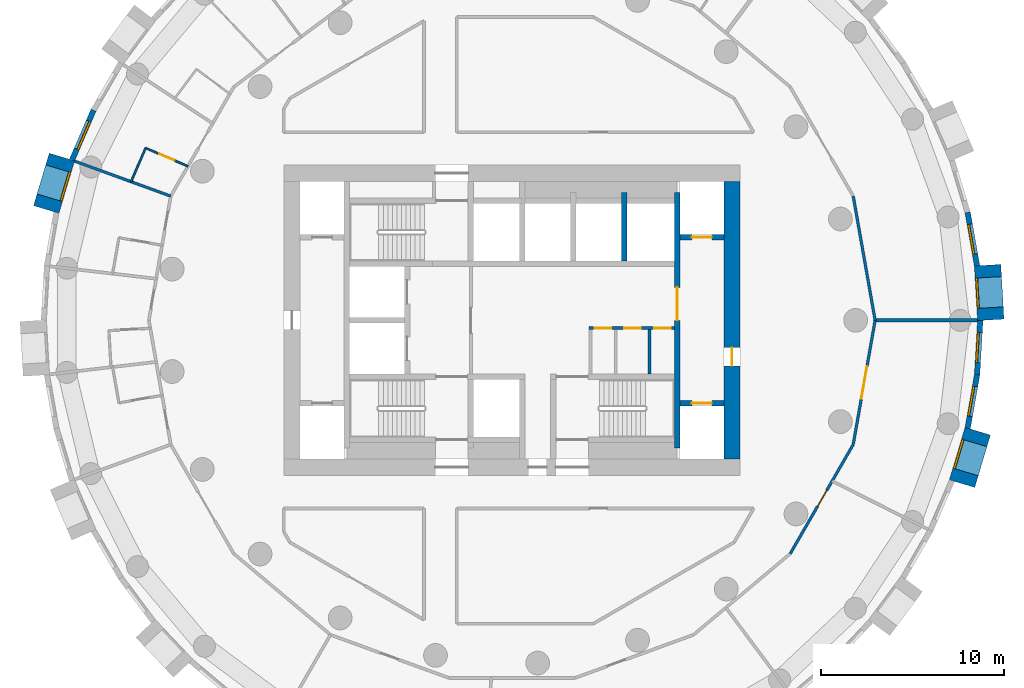
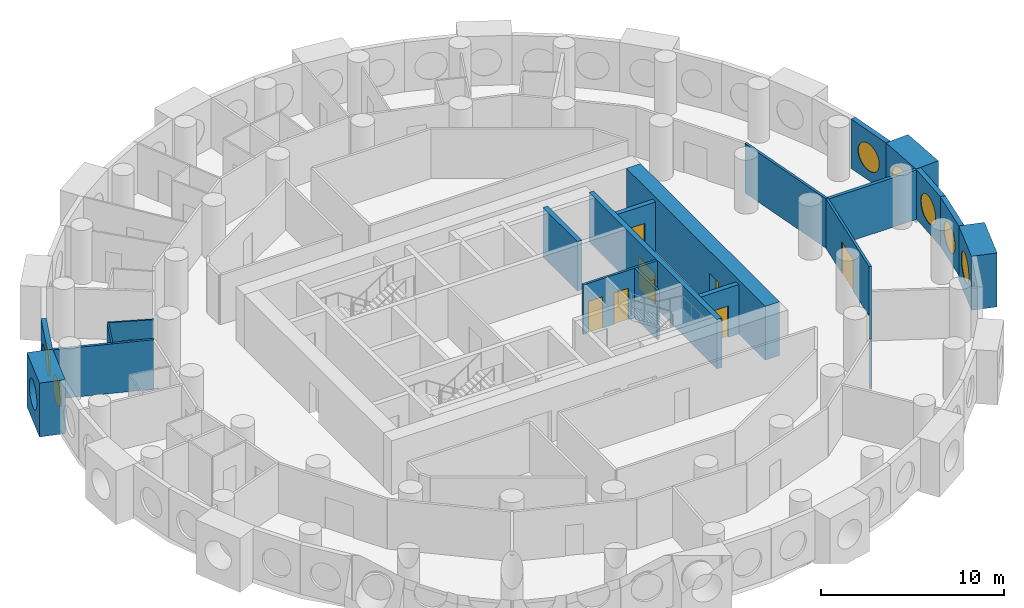
# One storey, part 5 of 10: 21 walls, 10 doors, 7 windows, 17 openings.
"""IFC4 building model written with IfcOpenShell, lengths in metres."""

from ifc_helpers import new_model, si_unit, direction, frame, frame_2d, origin, origin_2d, place, context, subcontext, project, spatial, rectangle, circle, extrude, material, layer, layer_set, type_object, element, fill, save


model = new_model("IFC4")

# Units and contexts
model_context = context("Model", 3, precision=1e-05, world=origin(), true_north=direction((0.0, 1.0)))
body_context = subcontext(model_context, "Body", "Model", "MODEL_VIEW")
ifc_project = project(units=[si_unit("LENGTHUNIT", "METRE"), si_unit("AREAUNIT", "SQUARE_METRE"), si_unit("VOLUMEUNIT", "CUBIC_METRE"), si_unit("PLANEANGLEUNIT", "RADIAN"), si_unit("MASSUNIT", "GRAM", prefix="KILO")], contexts=[model_context])

# Site, building, storey
site_placement = place(None, origin())
site = spatial("IfcSite", under=ifc_project, at=site_placement, CompositionType="ELEMENT")
building_placement = place(site_placement, origin())
building = spatial("IfcBuilding", under=site, at=building_placement, Name="Tracery Tower", CompositionType="ELEMENT")
storey_placement = place(building_placement, frame((0.0, 0.0, 144.0)))
storey = spatial("IfcBuildingStorey", under=building, at=storey_placement, Name="L36", CompositionType="ELEMENT", Elevation=144.0)

# Wall, openings, doors
ifc_material_1 = material(Name="Plasterboard on steel studs", Category="steel")
ifc_layer_1 = layer(ifc_material_1, 0.14990234375)
ifc_layer_set_1 = layer_set([ifc_layer_1], Name="Core room partition 150")
wall_type_1 = type_object("IfcWallType", Name="Core room partition 150", PredefinedType="SOLIDWALL", material=ifc_layer_set_1)
wall_1_placement = place(storey_placement, frame((4.22509765625, -0.425048828125, 0.0), z_axis=(0.0, 0.0, 1.0), x_axis=(1.0, 0.0, 0.0)))
wall_1 = element("IfcWall", 1, at=wall_1_placement, inside=storey, type_object=wall_type_1, Name="L36 slot N", PredefinedType="SOLIDWALL", context=body_context, shape_type="SweptSolid", body=[
    extrude(rectangle(XDim=4.6748046875, YDim=0.14990234375, at=frame_2d((2.33740234375, 0.0))), origin(), (0.0, 0.0, 1.0), 3.300048828125),
])
opening_1_placement = place(wall_1_placement, frame((0.3125, 0.0, 0.0)))
opening_1 = element("IfcOpeningElement", 2, at=opening_1_placement, cuts=wall_1, Name="Opening KD32", PredefinedType="OPENING", context=body_context, shape_type="SweptSolid", body=[
    extrude(rectangle(XDim=0.89990234375, YDim=2.10009765625, at=frame_2d((0.449951171875, 1.050048828125))), frame((0.0, 0.074951171875, 0.0), z_axis=(0.0, -1.0, 0.0), x_axis=(1.0, 0.0, 0.0)), (0.0, 0.0, 1.0), 0.14990234375),
])
opening_2_placement = place(wall_1_placement, frame((1.925048828125, 0.0, 0.0)))
opening_2 = element("IfcOpeningElement", 3, at=opening_2_placement, cuts=wall_1, Name="Opening KD21", PredefinedType="OPENING", context=body_context, shape_type="SweptSolid", body=[
    extrude(rectangle(XDim=0.89990234375, YDim=2.10009765625, at=frame_2d((0.449951171875, 1.050048828125))), frame((0.0, 0.074951171875, 0.0), z_axis=(0.0, -1.0, 0.0), x_axis=(1.0, 0.0, 0.0)), (0.0, 0.0, 1.0), 0.14990234375),
])
opening_3_placement = place(wall_1_placement, frame((3.574951171875, 0.0, 0.0)))
opening_3 = element("IfcOpeningElement", 4, at=opening_3_placement, cuts=wall_1, Name="Opening KD27", PredefinedType="OPENING", context=body_context, shape_type="SweptSolid", body=[
    extrude(rectangle(XDim=0.89990234375, YDim=2.10009765625, at=frame_2d((0.449951171875, 1.050048828125))), frame((0.0, 0.074951171875, 0.0), z_axis=(0.0, -1.0, 0.0), x_axis=(1.0, 0.0, 0.0)), (0.0, 0.0, 1.0), 0.14990234375),
])
ifc_material_2 = material(Name="Timber door leaf", Category="wood")
door_type_1 = type_object("IfcDoorType", Name="Core WC door 900", OperationType="NOTDEFINED", PredefinedType="DOOR", material=ifc_material_2)
door_1_placement = place(opening_2_placement, origin())
door_1 = element("IfcDoor", 5, at=door_1_placement, inside=storey, type_object=door_type_1, Name="Core door", OperationType="SINGLE_SWING_LEFT", OverallHeight=2.10009765625, OverallWidth=0.89990234375, PredefinedType="DOOR", context=body_context, shape_type="SweptSolid", body=[
    extrude(rectangle(XDim=0.89990234375, YDim=2.10009765625, at=frame_2d((0.449951171875, 1.050048828125))), frame((0.0, 0.02490234375, 0.0), z_axis=(0.0, -1.0, 0.0), x_axis=(1.0, 0.0, 0.0)), (0.0, 0.0, 1.0), 0.050048828125),
])
fill(opening_2, door_1)
ifc_material_3 = material(Name="Steel fire door", Category="steel")
door_type_2 = type_object("IfcDoorType", Name="Core riser door 900", OperationType="NOTDEFINED", PredefinedType="DOOR", material=ifc_material_3)
door_2_placement = place(opening_1_placement, origin())
door_2 = element("IfcDoor", 6, at=door_2_placement, inside=storey, type_object=door_type_2, Name="Core door", OperationType="SINGLE_SWING_RIGHT", OverallHeight=2.10009765625, OverallWidth=0.89990234375, PredefinedType="DOOR", context=body_context, shape_type="SweptSolid", body=[
    extrude(rectangle(XDim=0.89990234375, YDim=2.10009765625, at=frame_2d((0.449951171875, 1.050048828125))), frame((0.0, 0.02490234375, 0.0), z_axis=(0.0, -1.0, 0.0), x_axis=(1.0, 0.0, 0.0)), (0.0, 0.0, 1.0), 0.050048828125),
])
fill(opening_1, door_2)
ifc_material_4 = material(Name="Timber door leaf", Category="wood")
door_type_3 = type_object("IfcDoorType", Name="Core store door 900", OperationType="NOTDEFINED", PredefinedType="DOOR", material=ifc_material_4)
door_3_placement = place(opening_3_placement, origin())
door_3 = element("IfcDoor", 7, at=door_3_placement, inside=storey, type_object=door_type_3, Name="Core door", OperationType="SINGLE_SWING_RIGHT", OverallHeight=2.10009765625, OverallWidth=0.89990234375, PredefinedType="DOOR", context=body_context, shape_type="SweptSolid", body=[
    extrude(rectangle(XDim=0.89990234375, YDim=2.10009765625, at=frame_2d((0.449951171875, 1.050048828125))), frame((0.0, 0.02490234375, 0.0), z_axis=(0.0, -1.0, 0.0), x_axis=(1.0, 0.0, 0.0)), (0.0, 0.0, 1.0), 0.050048828125),
])
fill(opening_3, door_3)

# Wall
wall_2_placement = place(storey_placement, frame((7.52490234375, -2.949951171875, 0.0), z_axis=(0.0, 0.0, 1.0), x_axis=(0.0, 1.0, 0.0)))
element("IfcWall", 8, at=wall_2_placement, inside=storey, type_object=wall_type_1, Name="L36 slot sep 2", PredefinedType="SOLIDWALL", context=body_context, shape_type="SweptSolid", body=[
    extrude(rectangle(XDim=2.449951171875, YDim=0.14990234375, at=frame_2d((1.22509765625, 0.0))), origin(), (0.0, 0.0, 1.0), 3.300048828125),
])

# Wall, opening, door
ifc_material_5 = material(Name="Concrete C50/60", Category="concrete")
ifc_layer_2 = layer(ifc_material_5, 0.89990234375)
ifc_layer_set_2 = layer_set([ifc_layer_2], Name="Core wall 900 C50")
wall_type_2 = type_object("IfcWallType", Name="Core wall 900 C50", PredefinedType="SOLIDWALL", material=ifc_layer_set_2)
wall_3_placement = place(storey_placement, frame((12.050048828125, -7.60009765625, 0.0), z_axis=(0.0, 0.0, 1.0), x_axis=(0.0, 1.0, 0.0)))
wall_3 = element("IfcWall", 9, at=wall_3_placement, inside=storey, type_object=wall_type_2, Name="L36 outer E", PredefinedType="SOLIDWALL", context=body_context, shape_type="SweptSolid", body=[
    extrude(rectangle(XDim=15.2001953125, YDim=0.89990234375, at=frame_2d((7.60009765625, 0.0))), origin(), (0.0, 0.0, 1.0), 3.60009765625),
])
opening_4_placement = place(wall_3_placement, frame((5.10009765625, 0.0, 0.0)))
opening_4 = element("IfcOpeningElement", 10, at=opening_4_placement, cuts=wall_3, Name="Opening KD18", PredefinedType="OPENING", context=body_context, shape_type="SweptSolid", body=[
    extrude(rectangle(XDim=1.0, YDim=2.10009765625, at=frame_2d((0.5, 1.050048828125))), frame((0.0, 0.449951171875, 0.0), z_axis=(0.0, -1.0, 0.0), x_axis=(1.0, 0.0, 0.0)), (0.0, 0.0, 1.0), 0.89990234375),
])
ifc_material_6 = material(Name="Steel fire door", Category="steel")
door_type_4 = type_object("IfcDoorType", Name="Core exit door 1000", OperationType="NOTDEFINED", PredefinedType="DOOR", material=ifc_material_6)
door_4_placement = place(opening_4_placement, origin())
door_4 = element("IfcDoor", 11, at=door_4_placement, inside=storey, type_object=door_type_4, Name="Core exit door", OperationType="DOUBLE_DOOR_SINGLE_SWING", OverallHeight=2.10009765625, OverallWidth=1.0, PredefinedType="DOOR", context=body_context, shape_type="SweptSolid", body=[
    extrude(rectangle(XDim=1.0, YDim=2.10009765625, at=frame_2d((0.5, 1.050048828125))), frame((0.0, 0.02490234375, 0.0), z_axis=(0.0, -1.0, 0.0), x_axis=(1.0, 0.0, 0.0)), (0.0, 0.0, 1.0), 0.050048828125),
])
fill(opening_4, door_4)

# Wall, opening, window
ifc_material_7 = material(Name="Precast concrete C50/60", Category="concrete")
ifc_layer_3 = layer(ifc_material_7, 1.449951171875)
ifc_layer_set_3 = layer_set([ifc_layer_3], Name="Deep-set bay unit 3000 x 3600, slab edge 300")
wall_type_3 = type_object("IfcWallType", Name="Deep-set bay unit 3000 x 3600, slab edge 300", PredefinedType="ELEMENTEDWALL", material=ifc_layer_set_3)
wall_4_placement = place(storey_placement, frame((26.221923828125, 0.024658203125, -0.300048828125), z_axis=(0.0, 0.0, 1.0), x_axis=(-0.058106596105, 0.998310384344, 0.0)))
wall_4 = element("IfcWall", 12, at=wall_4_placement, inside=storey, type_object=wall_type_3, Name="Deep-set bay unit 1 at L36", PredefinedType="ELEMENTEDWALL", context=body_context, shape_type="SweptSolid", body=[
    extrude(rectangle(XDim=3.0, YDim=1.449951171875, at=frame_2d((1.5, 0.0))), origin(), (0.0, 0.0, 1.0), 3.60009765625),
])
opening_5_placement = place(wall_4_placement, frame((1.5, 0.0, 1.85009765625)))
opening_5 = element("IfcOpeningElement", 13, at=opening_5_placement, cuts=wall_4, Name="Opening WN1", PredefinedType="OPENING", context=body_context, shape_type="SweptSolid", body=[
    extrude(circle(Radius=0.9000244140625, at=origin_2d()), frame((0.0, 0.73486328125, 0.0), z_axis=(0.0, -1.0, 0.0), x_axis=(1.0, 0.0, 0.0)), (0.0, 0.0, 1.0), 1.469970703125),
])
ifc_material_8 = material(Name="Aluminium frame with tinted double glazing", Category="aluminium")
window_type = type_object("IfcWindowType", Name="Round window 1800", PartitioningType="SINGLE_PANEL", PredefinedType="WINDOW", material=ifc_material_8)
window_1_placement = place(opening_5_placement, origin())
window_1 = element("IfcWindow", 14, at=window_1_placement, inside=storey, type_object=window_type, Name="Round window 1 at L36", OverallHeight=1.800048828125, OverallWidth=1.800048828125, PartitioningType="SINGLE_PANEL", PredefinedType="WINDOW", context=body_context, shape_type="SweptSolid", body=[
    extrude(circle(Radius=0.9000244140625, at=origin_2d()), frame((0.0, 0.69482421875, 0.0), z_axis=(0.0, -1.0, 0.0), x_axis=(1.0, 0.0, 0.0)), (0.0, 0.0, 1.0), 0.10009765625),
])
fill(opening_5, window_1)

wall_5_placement = place(storey_placement, frame((-24.649169921875, 8.9453125, -0.300048828125), z_axis=(0.0, 0.0, 1.0), x_axis=(-0.286780420304, -0.957996341606, 0.0)))
wall_5 = element("IfcWall", 15, at=wall_5_placement, inside=storey, type_object=wall_type_3, Name="Deep-set bay unit 25 at L36", PredefinedType="ELEMENTEDWALL", context=body_context, shape_type="SweptSolid", body=[
    extrude(rectangle(XDim=3.0, YDim=1.449951171875, at=frame_2d((1.5, 0.0))), origin(), (0.0, 0.0, 1.0), 3.60009765625),
])
opening_6_placement = place(wall_5_placement, frame((1.5, 0.0, 1.85009765625)))
opening_6 = element("IfcOpeningElement", 16, at=opening_6_placement, cuts=wall_5, Name="Opening WN1", PredefinedType="OPENING", context=body_context, shape_type="SweptSolid", body=[
    extrude(circle(Radius=0.9000244140625, at=origin_2d()), frame((0.0, 0.73486328125, 0.0), z_axis=(0.0, -1.0, 0.0), x_axis=(1.0, 0.0, 0.0)), (0.0, 0.0, 1.0), 1.469970703125),
])
window_2_placement = place(opening_6_placement, origin())
window_2 = element("IfcWindow", 17, at=window_2_placement, inside=storey, type_object=window_type, Name="Round window 25 at L36", OverallHeight=1.800048828125, OverallWidth=1.800048828125, PartitioningType="SINGLE_PANEL", PredefinedType="WINDOW", context=body_context, shape_type="SweptSolid", body=[
    extrude(circle(Radius=0.9000244140625, at=origin_2d()), frame((0.0, 0.69482421875, 0.0), z_axis=(0.0, -1.0, 0.0), x_axis=(1.0, 0.0, 0.0)), (0.0, 0.0, 1.0), 0.10009765625),
])
fill(opening_6, window_2)

wall_6_placement = place(storey_placement, frame((24.649169921875, -8.9453125, -0.300048828125), z_axis=(0.0, 0.0, 1.0), x_axis=(0.286780420304, 0.957996341606, 0.0)))
wall_6 = element("IfcWall", 18, at=wall_6_placement, inside=storey, type_object=wall_type_3, Name="Deep-set bay unit 52 at L36", PredefinedType="ELEMENTEDWALL", context=body_context, shape_type="SweptSolid", body=[
    extrude(rectangle(XDim=3.0, YDim=1.449951171875, at=frame_2d((1.5, 0.0))), origin(), (0.0, 0.0, 1.0), 3.60009765625),
])
opening_7_placement = place(wall_6_placement, frame((1.5, 0.0, 1.85009765625)))
opening_7 = element("IfcOpeningElement", 19, at=opening_7_placement, cuts=wall_6, Name="Opening WN1", PredefinedType="OPENING", context=body_context, shape_type="SweptSolid", body=[
    extrude(circle(Radius=0.9000244140625, at=origin_2d()), frame((0.0, 0.73486328125, 0.0), z_axis=(0.0, -1.0, 0.0), x_axis=(1.0, 0.0, 0.0)), (0.0, 0.0, 1.0), 1.469970703125),
])
window_3_placement = place(opening_7_placement, origin())
window_3 = element("IfcWindow", 20, at=window_3_placement, inside=storey, type_object=window_type, Name="Round window 52 at L36", OverallHeight=1.800048828125, OverallWidth=1.800048828125, PartitioningType="SINGLE_PANEL", PredefinedType="WINDOW", context=body_context, shape_type="SweptSolid", body=[
    extrude(circle(Radius=0.9000244140625, at=origin_2d()), frame((0.0, 0.69482421875, 0.0), z_axis=(0.0, -1.0, 0.0), x_axis=(1.0, 0.0, 0.0)), (0.0, 0.0, 1.0), 0.10009765625),
])
fill(opening_7, window_3)

ifc_material_9 = material(Name="Precast concrete C50/60", Category="concrete")
ifc_layer_4 = layer(ifc_material_9, 0.300048828125)
ifc_layer_set_4 = layer_set([ifc_layer_4], Name="Facade panel 3000 x 3300")
wall_type_4 = type_object("IfcWallType", Name="Facade panel 3000 x 3300", PredefinedType="SOLIDWALL", material=ifc_layer_set_4)
wall_7_placement = place(storey_placement, frame((25.472412109375, 2.987060546875, 0.0), z_axis=(0.0, 0.0, 1.0), x_axis=(-0.173686952598, 0.984800915159, 0.0)))
wall_7 = element("IfcWall", 21, at=wall_7_placement, inside=storey, type_object=wall_type_4, Name="Facade panel 2 at L36", PredefinedType="SOLIDWALL", context=body_context, shape_type="SweptSolid", body=[
    extrude(rectangle(XDim=2.972900390625, YDim=0.300048828125, at=frame_2d((1.486328125, 0.0))), origin(), (0.0, 0.0, 1.0), 3.300048828125),
])
opening_8_placement = place(wall_7_placement, frame((1.486328125, 0.0, 1.5498046875)))
opening_8 = element("IfcOpeningElement", 22, at=opening_8_placement, cuts=wall_7, Name="Opening WN1", PredefinedType="OPENING", context=body_context, shape_type="SweptSolid", body=[
    extrude(circle(Radius=0.9000244140625, at=origin_2d()), frame((0.0, 0.159912109375, 0.0), z_axis=(0.0, -1.0, 0.0), x_axis=(1.0, 0.0, 0.0)), (0.0, 0.0, 1.0), 0.320068359375),
])
window_4_placement = place(opening_8_placement, origin())
window_4 = element("IfcWindow", 23, at=window_4_placement, inside=storey, type_object=window_type, Name="Round window 2 at L36", OverallHeight=1.800048828125, OverallWidth=1.800048828125, PartitioningType="SINGLE_PANEL", PredefinedType="WINDOW", context=body_context, shape_type="SweptSolid", body=[
    extrude(circle(Radius=0.9000244140625, at=origin_2d()), frame((0.0, 0.1201171875, 0.0), z_axis=(0.0, -1.0, 0.0), x_axis=(1.0, 0.0, 0.0)), (0.0, 0.0, 1.0), 0.10009765625),
])
fill(opening_8, window_4)

wall_8_placement = place(storey_placement, frame((-22.91943359375, 11.510498046875, 0.0), z_axis=(0.0, 0.0, 1.0), x_axis=(-0.396078892785, -0.918216483565, 0.0)))
wall_8 = element("IfcWall", 24, at=wall_8_placement, inside=storey, type_object=wall_type_4, Name="Facade panel 24 at L36", PredefinedType="SOLIDWALL", context=body_context, shape_type="SweptSolid", body=[
    extrude(rectangle(XDim=2.972900390625, YDim=0.300048828125, at=frame_2d((1.486328125, 0.0))), origin(), (0.0, 0.0, 1.0), 3.300048828125),
])
opening_9_placement = place(wall_8_placement, frame((1.486328125, 0.0, 1.5498046875)))
opening_9 = element("IfcOpeningElement", 25, at=opening_9_placement, cuts=wall_8, Name="Opening WN1", PredefinedType="OPENING", context=body_context, shape_type="SweptSolid", body=[
    extrude(circle(Radius=0.9000244140625, at=origin_2d()), frame((0.0, 0.159912109375, 0.0), z_axis=(0.0, -1.0, 0.0), x_axis=(1.0, 0.0, 0.0)), (0.0, 0.0, 1.0), 0.320068359375),
])
window_5_placement = place(opening_9_placement, origin())
window_5 = element("IfcWindow", 26, at=window_5_placement, inside=storey, type_object=window_type, Name="Round window 24 at L36", OverallHeight=1.800048828125, OverallWidth=1.800048828125, PartitioningType="SINGLE_PANEL", PredefinedType="WINDOW", context=body_context, shape_type="SweptSolid", body=[
    extrude(circle(Radius=0.9000244140625, at=origin_2d()), frame((0.0, 0.1201171875, 0.0), z_axis=(0.0, -1.0, 0.0), x_axis=(1.0, 0.0, 0.0)), (0.0, 0.0, 1.0), 0.10009765625),
])
fill(opening_9, window_5)

wall_9_placement = place(storey_placement, frame((24.957763671875, -5.9052734375, 0.0), z_axis=(0.0, 0.0, 1.0), x_axis=(0.173686952598, 0.984800915159, 0.0)))
wall_9 = element("IfcWall", 27, at=wall_9_placement, inside=storey, type_object=wall_type_4, Name="Facade panel 53 at L36", PredefinedType="SOLIDWALL", context=body_context, shape_type="SweptSolid", body=[
    extrude(rectangle(XDim=2.972900390625, YDim=0.300048828125, at=frame_2d((1.486328125, 0.0))), origin(), (0.0, 0.0, 1.0), 3.300048828125),
])
opening_10_placement = place(wall_9_placement, frame((1.486328125, 0.0, 1.5498046875)))
opening_10 = element("IfcOpeningElement", 28, at=opening_10_placement, cuts=wall_9, Name="Opening WN1", PredefinedType="OPENING", context=body_context, shape_type="SweptSolid", body=[
    extrude(circle(Radius=0.9000244140625, at=origin_2d()), frame((0.0, 0.159912109375, 0.0), z_axis=(0.0, -1.0, 0.0), x_axis=(1.0, 0.0, 0.0)), (0.0, 0.0, 1.0), 0.320068359375),
])
window_6_placement = place(opening_10_placement, origin())
window_6 = element("IfcWindow", 29, at=window_6_placement, inside=storey, type_object=window_type, Name="Round window 53 at L36", OverallHeight=1.800048828125, OverallWidth=1.800048828125, PartitioningType="SINGLE_PANEL", PredefinedType="WINDOW", context=body_context, shape_type="SweptSolid", body=[
    extrude(circle(Radius=0.9000244140625, at=origin_2d()), frame((0.0, 0.1201171875, 0.0), z_axis=(0.0, -1.0, 0.0), x_axis=(1.0, 0.0, 0.0)), (0.0, 0.0, 1.0), 0.10009765625),
])
fill(opening_10, window_6)

wall_10_placement = place(storey_placement, frame((25.47412109375, -2.9775390625, 0.0), z_axis=(0.0, 0.0, 1.0), x_axis=(0.058139540521, 0.998308466271, 0.0)))
wall_10 = element("IfcWall", 30, at=wall_10_placement, inside=storey, type_object=wall_type_4, Name="Facade panel 54 at L36", PredefinedType="SOLIDWALL", context=body_context, shape_type="SweptSolid", body=[
    extrude(rectangle(XDim=2.97314453125, YDim=0.300048828125, at=frame_2d((1.486572265625, 0.0))), origin(), (0.0, 0.0, 1.0), 3.300048828125),
])
opening_11_placement = place(wall_10_placement, frame((1.486328125, 0.0, 1.5498046875)))
opening_11 = element("IfcOpeningElement", 31, at=opening_11_placement, cuts=wall_10, Name="Opening WN1", PredefinedType="OPENING", context=body_context, shape_type="SweptSolid", body=[
    extrude(circle(Radius=0.9000244140625, at=origin_2d()), frame((0.0, 0.159912109375, 0.0), z_axis=(0.0, -1.0, 0.0), x_axis=(1.0, 0.0, 0.0)), (0.0, 0.0, 1.0), 0.320068359375),
])
window_7_placement = place(opening_11_placement, origin())
window_7 = element("IfcWindow", 32, at=window_7_placement, inside=storey, type_object=window_type, Name="Round window 54 at L36", OverallHeight=1.800048828125, OverallWidth=1.800048828125, PartitioningType="SINGLE_PANEL", PredefinedType="WINDOW", context=body_context, shape_type="SweptSolid", body=[
    extrude(circle(Radius=0.9000244140625, at=origin_2d()), frame((0.0, 0.1201171875, 0.0), z_axis=(0.0, -1.0, 0.0), x_axis=(1.0, 0.0, 0.0)), (0.0, 0.0, 1.0), 0.10009765625),
])
fill(opening_11, window_7)

# Wall, opening, door
ifc_material_10 = material(Name="Plasterboard on steel studs", Category="steel")
ifc_layer_5 = layer(ifc_material_10, 0.10009765625)
ifc_layer_set_5 = layer_set([ifc_layer_5], Name="Partition 100 wet wall")
wall_type_5 = type_object("IfcWallType", Name="Partition 100 wet wall", PredefinedType="PARTITIONING", material=ifc_layer_set_5)
wall_11_placement = place(storey_placement, frame((-20.06689453125, 9.43701171875, 0.0), z_axis=(0.0, 0.0, 1.0), x_axis=(0.918293825202, -0.395899546091, 0.0)))
wall_11 = element("IfcWall", 33, at=wall_11_placement, inside=storey, type_object=wall_type_5, Name="Wet wall RB2-064", PredefinedType="PARTITIONING", context=body_context, shape_type="SweptSolid", body=[
    extrude(rectangle(XDim=2.5283203125, YDim=0.10009765625, at=frame_2d((1.26416015625, 0.0))), origin(), (0.0, 0.0, 1.0), 3.300048828125),
])
opening_12_placement = place(wall_11_placement, frame((0.814697265625, 0.0, 0.0)))
opening_12 = element("IfcOpeningElement", 34, at=opening_12_placement, cuts=wall_11, Name="Opening RB2-20", PredefinedType="OPENING", context=body_context, shape_type="SweptSolid", body=[
    extrude(rectangle(XDim=0.89990234375, YDim=2.0400390625, at=frame_2d((0.449951171875, 1.02001953125))), frame((0.0, 0.050048828125, 0.0), z_axis=(0.0, -1.0, 0.0), x_axis=(1.0, 0.0, 0.0)), (0.0, 0.0, 1.0), 0.10009765625),
])
ifc_material_11 = material(Name="Timber door leaf", Category="wood")
door_type_5 = type_object("IfcDoorType", Name="Door en-suite 900", OperationType="NOTDEFINED", PredefinedType="DOOR", material=ifc_material_11)
door_5_placement = place(opening_12_placement, origin())
door_5 = element("IfcDoor", 35, at=door_5_placement, inside=storey, type_object=door_type_5, Name="En-suite door RB2-20", OperationType="SINGLE_SWING_LEFT", OverallHeight=2.0400390625, OverallWidth=0.89990234375, PredefinedType="DOOR", context=body_context, shape_type="SweptSolid", body=[
    extrude(rectangle(XDim=0.89990234375, YDim=2.0400390625, at=frame_2d((0.449951171875, 1.02001953125))), frame((0.0, 0.02490234375, 0.0), z_axis=(0.0, -1.0, 0.0), x_axis=(1.0, 0.0, 0.0)), (0.0, 0.0, 1.0), 0.050048828125),
])
fill(opening_12, door_5)

# Walls
wall_12_placement = place(storey_placement, frame((-20.862060546875, 7.593017578125, 0.0), z_axis=(0.0, 0.0, 1.0), x_axis=(0.395972527348, 0.918262357709, 0.0)))
element("IfcWall", 36, at=wall_12_placement, inside=storey, type_object=wall_type_5, Name="Wet wall RB2-065", PredefinedType="PARTITIONING", context=body_context, shape_type="SweptSolid", body=[
    extrude(rectangle(XDim=2.008056640625, YDim=0.10009765625, at=frame_2d((1.00390625, 0.0))), origin(), (0.0, 0.0, 1.0), 3.300048828125),
])
ifc_material_12 = material(Name="Plasterboard on steel studs", Category="steel")
ifc_layer_6 = layer(ifc_material_12, 0.14990234375)
ifc_layer_set_6 = layer_set([ifc_layer_6], Name="Partition 150 acoustic unit wall")
wall_type_6 = type_object("IfcWallType", Name="Partition 150 acoustic unit wall", PredefinedType="PARTITIONING", material=ifc_layer_set_6)
wall_13_placement = place(storey_placement, frame((-23.9599609375, 8.720947265625, 0.0), z_axis=(0.0, 0.0, 1.0), x_axis=(0.939653583607, -0.342127378054, 0.0)))
element("IfcWall", 37, at=wall_13_placement, inside=storey, type_object=wall_type_6, Name="Unit wall RB2-066", PredefinedType="PARTITIONING", context=body_context, shape_type="SweptSolid", body=[
    extrude(rectangle(XDim=5.6103515625, YDim=0.14990234375, at=frame_2d((2.80517578125, 0.0))), origin(), (0.0, 0.0, 1.0), 3.300048828125),
])
ifc_material_13 = material(Name="Plasterboard on steel studs", Category="steel")
ifc_layer_7 = layer(ifc_material_13, 0.14990234375)
ifc_layer_set_7 = layer_set([ifc_layer_7], Name="Partition 150 corridor wall")
wall_type_7 = type_object("IfcWallType", Name="Partition 150 corridor wall", PredefinedType="PARTITIONING", material=ifc_layer_set_7)
wall_14_placement = place(storey_placement, frame((18.68798828125, 6.802001953125, 0.0), z_axis=(0.0, 0.0, 1.0), x_axis=(0.173728873845, -0.98479352069, 0.0)))
element("IfcWall", 38, at=wall_14_placement, inside=storey, type_object=wall_type_7, Name="Corridor wall RB2-009", PredefinedType="PARTITIONING", context=body_context, shape_type="SweptSolid", body=[
    extrude(rectangle(XDim=6.906982421875, YDim=0.14990234375, at=frame_2d((3.45361328125, 0.0))), origin(), (0.0, 0.0, 1.0), 3.300048828125),
])

# Wall, opening, door
wall_15_placement = place(storey_placement, frame((15.235107421875, -12.783935546875, 0.0), z_axis=(0.0, 0.0, 1.0), x_axis=(0.499914202267, 0.866074933462, 0.0)))
wall_15 = element("IfcWall", 39, at=wall_15_placement, inside=storey, type_object=wall_type_7, Name="Corridor wall RB2-010", PredefinedType="PARTITIONING", context=body_context, shape_type="SweptSolid", body=[
    extrude(rectangle(XDim=6.906982421875, YDim=0.14990234375, at=frame_2d((3.45361328125, 0.0))), origin(), (0.0, 0.0, 1.0), 3.300048828125),
])
opening_13_placement = place(wall_15_placement, frame((3.0, 0.0, 0.0)))
opening_13 = element("IfcOpeningElement", 40, at=opening_13_placement, cuts=wall_15, Name="Opening RB2-31", PredefinedType="OPENING", context=body_context, shape_type="SweptSolid", body=[
    extrude(rectangle(XDim=1.0, YDim=2.0400390625, at=frame_2d((0.5, 1.02001953125))), frame((0.0, 0.074951171875, 0.0), z_axis=(0.0, -1.0, 0.0), x_axis=(1.0, 0.0, 0.0)), (0.0, 0.0, 1.0), 0.14990234375),
])
ifc_material_14 = material(Name="Timber door leaf", Category="wood")
door_type_6 = type_object("IfcDoorType", Name="Door communal room 1000", OperationType="NOTDEFINED", PredefinedType="DOOR", material=ifc_material_14)
door_6_placement = place(opening_13_placement, origin())
door_6 = element("IfcDoor", 41, at=door_6_placement, inside=storey, type_object=door_type_6, Name="Communal room door RB2-31", OperationType="SINGLE_SWING_LEFT", OverallHeight=2.0400390625, OverallWidth=1.0, PredefinedType="DOOR", context=body_context, shape_type="SweptSolid", body=[
    extrude(rectangle(XDim=1.0, YDim=2.0400390625, at=frame_2d((0.5, 1.02001953125))), frame((0.0, 0.02490234375, 0.0), z_axis=(0.0, -1.0, 0.0), x_axis=(1.0, 0.0, 0.0)), (0.0, 0.0, 1.0), 0.050048828125),
])
fill(opening_13, door_6)

wall_16_placement = place(storey_placement, frame((18.68798828125, -6.802001953125, 0.0), z_axis=(0.0, 0.0, 1.0), x_axis=(0.173728873845, 0.98479352069, 0.0)))
wall_16 = element("IfcWall", 42, at=wall_16_placement, inside=storey, type_object=wall_type_7, Name="Corridor wall RB2-012", PredefinedType="PARTITIONING", context=body_context, shape_type="SweptSolid", body=[
    extrude(rectangle(XDim=6.906982421875, YDim=0.14990234375, at=frame_2d((3.45361328125, 0.0))), origin(), (0.0, 0.0, 1.0), 3.300048828125),
])
opening_14_placement = place(wall_16_placement, frame((2.552978515625, 0.0, 0.0)))
opening_14 = element("IfcOpeningElement", 43, at=opening_14_placement, cuts=wall_16, Name="Opening RB2-32", PredefinedType="OPENING", context=body_context, shape_type="SweptSolid", body=[
    extrude(rectangle(XDim=1.800048828125, YDim=2.10009765625, at=frame_2d((0.89990234375, 1.050048828125))), frame((0.0, 0.074951171875, 0.0), z_axis=(0.0, -1.0, 0.0), x_axis=(1.0, 0.0, 0.0)), (0.0, 0.0, 1.0), 0.14990234375),
])
ifc_material_15 = material(Name="Timber door leaf", Category="wood")
door_type_7 = type_object("IfcDoorType", Name="Door double lounge 1800", OperationType="NOTDEFINED", PredefinedType="DOOR", material=ifc_material_15)
door_7_placement = place(opening_14_placement, origin())
door_7 = element("IfcDoor", 44, at=door_7_placement, inside=storey, type_object=door_type_7, Name="Double lounge door RB2-32", OperationType="DOUBLE_DOOR_SINGLE_SWING", OverallHeight=2.10009765625, OverallWidth=1.800048828125, PredefinedType="DOOR", context=body_context, shape_type="SweptSolid", body=[
    extrude(rectangle(XDim=1.800048828125, YDim=2.10009765625, at=frame_2d((0.89990234375, 1.050048828125))), frame((0.0, 0.02490234375, 0.0), z_axis=(0.0, -1.0, 0.0), x_axis=(1.0, 0.0, 0.0)), (0.0, 0.0, 1.0), 0.050048828125),
])
fill(opening_14, door_7)

# Walls
ifc_material_16 = material(Name="Plasterboard on steel studs", Category="steel")
ifc_layer_8 = layer(ifc_material_16, 0.199951171875)
ifc_layer_set_8 = layer_set([ifc_layer_8], Name="Partition 200 compartment wall")
wall_type_8 = type_object("IfcWallType", Name="Partition 200 compartment wall", PredefinedType="PARTITIONING", material=ifc_layer_set_8)
wall_17_placement = place(storey_placement, frame((19.887939453125, 0.0, 0.0), z_axis=(0.0, 0.0, 1.0), x_axis=(1.0, 0.0, 0.0)))
element("IfcWall", 45, at=wall_17_placement, inside=storey, type_object=wall_type_8, Name="Compartment wall RB2-041", PredefinedType="PARTITIONING", context=body_context, shape_type="SweptSolid", body=[
    extrude(rectangle(XDim=5.609130859375, YDim=0.199951171875, at=frame_2d((2.8046875, 0.0))), origin(), (0.0, 0.0, 1.0), 3.300048828125),
])
ifc_material_17 = material(Name="Concrete C50/60", Category="concrete")
ifc_layer_9 = layer(ifc_material_17, 0.300048828125)
ifc_layer_set_9 = layer_set([ifc_layer_9], Name="Shaft wall 300 C50")
wall_type_9 = type_object("IfcWallType", Name="Shaft wall 300 C50", PredefinedType="SOLIDWALL", material=ifc_layer_set_9)
wall_18_placement = place(storey_placement, frame((6.14990234375, 3.25, 0.0), z_axis=(0.0, 0.0, 1.0), x_axis=(0.0, 1.0, 0.0)))
element("IfcWall", 46, at=wall_18_placement, inside=storey, type_object=wall_type_9, Name="L36 HR sep 3", PredefinedType="SOLIDWALL", context=body_context, shape_type="SweptSolid", body=[
    extrude(rectangle(XDim=3.75, YDim=0.300048828125, at=frame_2d((1.875, 0.0))), origin(), (0.0, 0.0, 1.0), 3.300048828125),
])

# Wall, opening, door
wall_19_placement = place(storey_placement, frame((9.199951171875, -4.550048828125, 0.0), z_axis=(0.0, 0.0, 1.0), x_axis=(1.0, 0.0, 0.0)))
wall_19 = element("IfcWall", 47, at=wall_19_placement, inside=storey, type_object=wall_type_9, Name="L36 MR E -4.55", PredefinedType="SOLIDWALL", context=body_context, shape_type="SweptSolid", body=[
    extrude(rectangle(XDim=2.400146484375, YDim=0.300048828125, at=frame_2d((1.2001953125, 0.0))), origin(), (0.0, 0.0, 1.0), 3.300048828125),
])
opening_15_placement = place(wall_19_placement, frame((0.64990234375, 0.0, 0.0)))
opening_15 = element("IfcOpeningElement", 48, at=opening_15_placement, cuts=wall_19, Name="Opening KD50", PredefinedType="OPENING", context=body_context, shape_type="SweptSolid", body=[
    extrude(rectangle(XDim=1.10009765625, YDim=2.10009765625, at=frame_2d((0.550048828125, 1.050048828125))), frame((0.0, 0.14990234375, 0.0), z_axis=(0.0, -1.0, 0.0), x_axis=(1.0, 0.0, 0.0)), (0.0, 0.0, 1.0), 0.300048828125),
])
ifc_material_18 = material(Name="Steel fire door", Category="steel")
door_type_8 = type_object("IfcDoorType", Name="Landing door 1100", OperationType="NOTDEFINED", PredefinedType="DOOR", material=ifc_material_18)
door_8_placement = place(opening_15_placement, origin())
door_8 = element("IfcDoor", 49, at=door_8_placement, inside=storey, type_object=door_type_8, Name="Landing door MR3", OperationType="SLIDING_TO_RIGHT", OverallHeight=2.10009765625, OverallWidth=1.10009765625, PredefinedType="DOOR", context=body_context, shape_type="SweptSolid", body=[
    extrude(rectangle(XDim=1.10009765625, YDim=2.10009765625, at=frame_2d((0.550048828125, 1.050048828125))), frame((0.0, 0.02490234375, 0.0), z_axis=(0.0, -1.0, 0.0), x_axis=(1.0, 0.0, 0.0)), (0.0, 0.0, 1.0), 0.050048828125),
])
fill(opening_15, door_8)

wall_20_placement = place(storey_placement, frame((9.199951171875, 4.550048828125, 0.0), z_axis=(0.0, 0.0, 1.0), x_axis=(1.0, 0.0, 0.0)))
wall_20 = element("IfcWall", 50, at=wall_20_placement, inside=storey, type_object=wall_type_9, Name="L36 MR E +4.55", PredefinedType="SOLIDWALL", context=body_context, shape_type="SweptSolid", body=[
    extrude(rectangle(XDim=2.400146484375, YDim=0.300048828125, at=frame_2d((1.2001953125, 0.0))), origin(), (0.0, 0.0, 1.0), 3.300048828125),
])
opening_16_placement = place(wall_20_placement, frame((0.64990234375, 0.0, 0.0)))
opening_16 = element("IfcOpeningElement", 51, at=opening_16_placement, cuts=wall_20, Name="Opening KD49", PredefinedType="OPENING", context=body_context, shape_type="SweptSolid", body=[
    extrude(rectangle(XDim=1.10009765625, YDim=2.10009765625, at=frame_2d((0.550048828125, 1.050048828125))), frame((0.0, 0.14990234375, 0.0), z_axis=(0.0, -1.0, 0.0), x_axis=(1.0, 0.0, 0.0)), (0.0, 0.0, 1.0), 0.300048828125),
])
door_9_placement = place(opening_16_placement, origin())
door_9 = element("IfcDoor", 52, at=door_9_placement, inside=storey, type_object=door_type_8, Name="Landing door MR4", OperationType="SLIDING_TO_LEFT", OverallHeight=2.10009765625, OverallWidth=1.10009765625, PredefinedType="DOOR", context=body_context, shape_type="SweptSolid", body=[
    extrude(rectangle(XDim=1.10009765625, YDim=2.10009765625, at=frame_2d((0.550048828125, 1.050048828125))), frame((0.0, 0.02490234375, 0.0), z_axis=(0.0, -1.0, 0.0), x_axis=(1.0, 0.0, 0.0)), (0.0, 0.0, 1.0), 0.050048828125),
])
fill(opening_16, door_9)

ifc_material_19 = material(Name="Concrete C50/60", Category="concrete")
ifc_layer_10 = layer(ifc_material_19, 0.300048828125)
ifc_layer_set_10 = layer_set([ifc_layer_10], Name="Stair wall 300 C50")
wall_type_10 = type_object("IfcWallType", Name="Stair wall 300 C50", PredefinedType="SOLIDWALL", material=ifc_layer_set_10)
wall_21_placement = place(storey_placement, frame((9.050048828125, -7.0, 0.0), z_axis=(0.0, 0.0, 1.0), x_axis=(0.0, 1.0, 0.0)))
wall_21 = element("IfcWall", 53, at=wall_21_placement, inside=storey, type_object=wall_type_10, Name="L36 F wall +9", PredefinedType="SOLIDWALL", context=body_context, shape_type="SweptSolid", body=[
    extrude(rectangle(XDim=14.0, YDim=0.300048828125, at=frame_2d((7.0, 0.0))), origin(), (0.0, 0.0, 1.0), 3.300048828125),
])
opening_17_placement = place(wall_21_placement, frame((7.0, 0.0, 0.0)))
opening_17 = element("IfcOpeningElement", 54, at=opening_17_placement, cuts=wall_21, Name="Opening KD13", PredefinedType="OPENING", context=body_context, shape_type="SweptSolid", body=[
    extrude(rectangle(XDim=1.800048828125, YDim=2.10009765625, at=frame_2d((0.89990234375, 1.050048828125))), frame((0.0, 0.14990234375, 0.0), z_axis=(0.0, -1.0, 0.0), x_axis=(1.0, 0.0, 0.0)), (0.0, 0.0, 1.0), 0.300048828125),
])
ifc_material_20 = material(Name="Steel fire door", Category="steel")
door_type_9 = type_object("IfcDoorType", Name="Core exit door 1800 double", OperationType="NOTDEFINED", PredefinedType="DOOR", material=ifc_material_20)
door_10_placement = place(opening_17_placement, origin())
door_10 = element("IfcDoor", 55, at=door_10_placement, inside=storey, type_object=door_type_9, Name="Core exit door", OperationType="DOUBLE_DOOR_SINGLE_SWING", OverallHeight=2.10009765625, OverallWidth=1.800048828125, PredefinedType="DOOR", context=body_context, shape_type="SweptSolid", body=[
    extrude(rectangle(XDim=1.800048828125, YDim=2.10009765625, at=frame_2d((0.89990234375, 1.050048828125))), frame((0.0, 0.02490234375, 0.0), z_axis=(0.0, -1.0, 0.0), x_axis=(1.0, 0.0, 0.0)), (0.0, 0.0, 1.0), 0.050048828125),
])
fill(opening_17, door_10)

save(model, "model.ifc")
